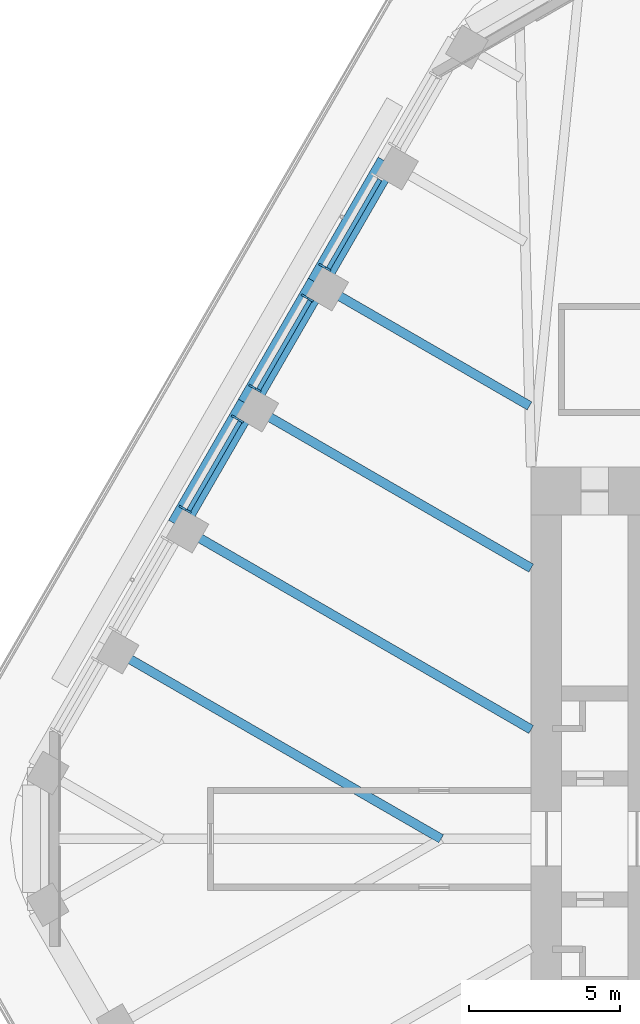
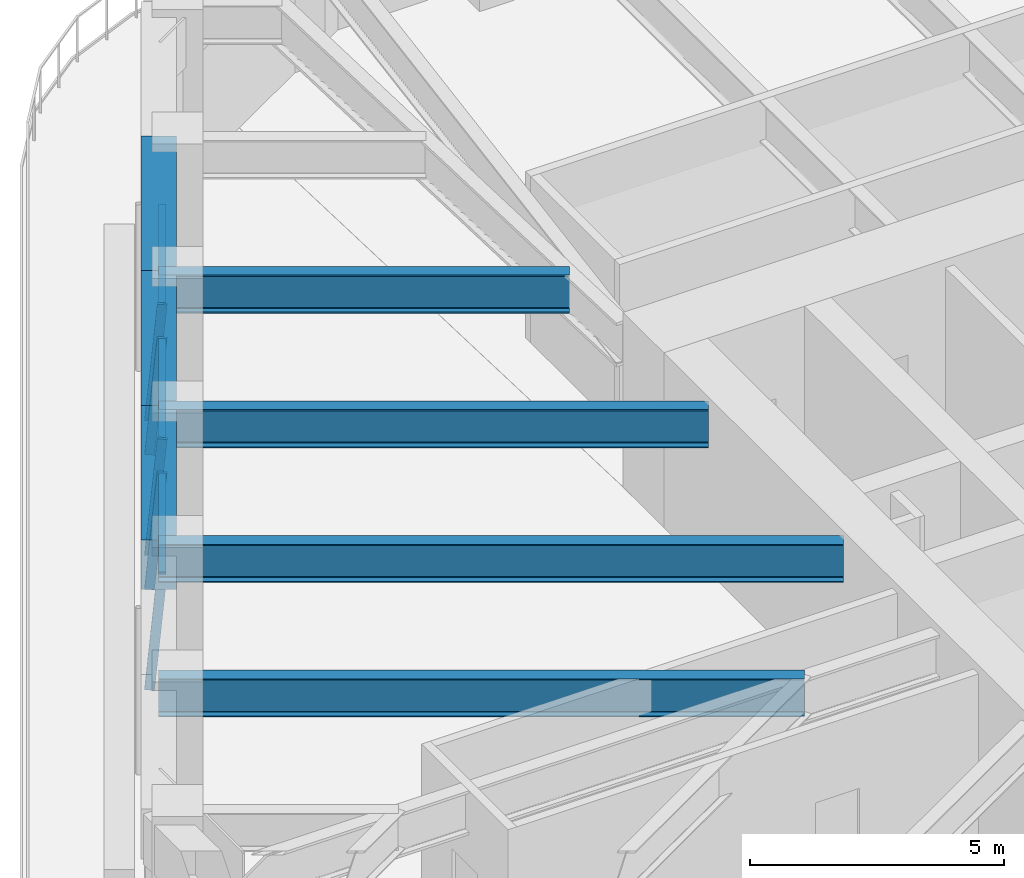
# One storey, part 7 of 20: 8 members, 7 beams, 3 elements without a shape of their own.
"""IFC4 building model written with IfcOpenShell, lengths in metres."""

from ifc_helpers import new_model, si_unit, direction, frame, origin, origin_2d, place, context, subcontext, project, spatial, rectangle, i_section, extrude, material, material_profile, profile_set, type_object, element, aggregate, save


model = new_model("IFC4")

# Units and contexts
model_context = context("Model", 3, precision=1e-05, world=origin(), true_north=direction((0.0, 1.0)))
body_context = subcontext(model_context, "Body", "Model", "MODEL_VIEW")
ifc_project = project(units=[si_unit("LENGTHUNIT", "METRE"), si_unit("AREAUNIT", "SQUARE_METRE"), si_unit("VOLUMEUNIT", "CUBIC_METRE"), si_unit("PLANEANGLEUNIT", "RADIAN"), si_unit("MASSUNIT", "GRAM", prefix="KILO")], contexts=[model_context])

# Site, building, storey
site_placement = place(None, origin())
site = spatial("IfcSite", under=ifc_project, at=site_placement, CompositionType="ELEMENT")
building_placement = place(site_placement, origin())
building = spatial("IfcBuilding", under=site, at=building_placement, Name="Tarfa Lantern Tower", CompositionType="ELEMENT")
storey_placement = place(building_placement, frame((0.0, 0.0, 291.10009765625)))
storey = spatial("IfcBuildingStorey", under=building, at=storey_placement, Name="L66", CompositionType="ELEMENT", Elevation=291.10009765625)

# Curtain wall, member
ifc_material_1 = material(Name="Aluminium framed curtain wall", Category="aluminium")
curtain_wall_type = type_object("IfcCurtainWallType", Name="CW3 CANTED GLAZING HIGH ZONE 2800", PredefinedType="USERDEFINED", material=ifc_material_1)
curtain_wall_1_placement = place(storey_placement, origin())
curtain_wall_1 = element("IfcCurtainWall", 1, at=curtain_wall_1_placement, inside=storey, type_object=curtain_wall_type, Name="CW3 NW L66", ObjectType="CURTAIN WALL", PredefinedType="USERDEFINED")
ifc_material_2 = material(Name="Aluminium mullion", Category="aluminium")
ifc_material_profile_1 = material_profile(ifc_material_2, rectangle(XDim=0.06494140625, YDim=0.199951171875, at=origin_2d()), Name="AL MULLION 65x200")
ifc_profile_set_1 = profile_set([ifc_material_profile_1], Name="Aluminium mullion")
member_type_1 = type_object("IfcMemberType", Name="CWM1 MULLION 65x200", PredefinedType="MULLION", material=ifc_profile_set_1)
member_1_placement = place(storey_placement, frame((-22.427490234375, 18.954345703125, 0.0), z_axis=(0.077039050765, -0.044468989844, 0.996035889715), x_axis=(0.499919672301, 0.866071776036, 0.0)))
member_1 = element("IfcMember", 2, at=member_1_placement, type_object=member_type_1, Name="CW3 mullion 2", PredefinedType="MULLION", context=body_context, shape_type="SweptSolid", body=[
    extrude(rectangle(XDim=0.06494140625, YDim=0.199951171875, at=origin_2d()), origin(), (0.0, 0.0, 1.0), 2.81103515625),
])

# Curtain wall, members
curtain_wall_2_placement = place(storey_placement, origin())
curtain_wall_2 = element("IfcCurtainWall", 3, at=curtain_wall_2_placement, inside=storey, type_object=curtain_wall_type, Name="CW3 NW L66", ObjectType="CURTAIN WALL", PredefinedType="USERDEFINED")
member_2_placement = place(storey_placement, frame((-23.010009765625, 17.945556640625, 0.0), z_axis=(0.077039050765, -0.044468989844, 0.996035889715), x_axis=(0.499919672301, 0.866071776036, 0.0)))
member_2 = element("IfcMember", 4, at=member_2_placement, type_object=member_type_1, Name="CW3 mullion 1", PredefinedType="MULLION", context=body_context, shape_type="SweptSolid", body=[
    extrude(rectangle(XDim=0.06494140625, YDim=0.199951171875, at=origin_2d()), origin(), (0.0, 0.0, 1.0), 2.81103515625),
])
member_3_placement = place(storey_placement, frame((-24.73681640625, 14.954345703125, 0.0), z_axis=(0.077039050765, -0.044468989844, 0.996035889715), x_axis=(0.499919672301, 0.866071776036, 0.0)))
member_3 = element("IfcMember", 5, at=member_3_placement, type_object=member_type_1, Name="CW3 mullion 2", PredefinedType="MULLION", context=body_context, shape_type="SweptSolid", body=[
    extrude(rectangle(XDim=0.06494140625, YDim=0.199951171875, at=origin_2d()), origin(), (0.0, 0.0, 1.0), 2.81103515625),
])

curtain_wall_3_placement = place(storey_placement, origin())
curtain_wall_3 = element("IfcCurtainWall", 6, at=curtain_wall_3_placement, inside=storey, type_object=curtain_wall_type, Name="CW3 NW L66", ObjectType="CURTAIN WALL", PredefinedType="USERDEFINED")
member_4_placement = place(storey_placement, frame((-25.3193359375, 13.945556640625, 0.0), z_axis=(0.077039050765, -0.044468989844, 0.996035889715), x_axis=(0.499919672301, 0.866071776036, 0.0)))
member_4 = element("IfcMember", 7, at=member_4_placement, type_object=member_type_1, Name="CW3 mullion 1", PredefinedType="MULLION", context=body_context, shape_type="SweptSolid", body=[
    extrude(rectangle(XDim=0.06494140625, YDim=0.199951171875, at=origin_2d()), origin(), (0.0, 0.0, 1.0), 2.81103515625),
])
member_5_placement = place(storey_placement, frame((-27.04638671875, 10.954345703125, 0.0), z_axis=(0.077039050765, -0.044468989844, 0.996035889715), x_axis=(0.499919672301, 0.866071776036, 0.0)))
member_5 = element("IfcMember", 8, at=member_5_placement, type_object=member_type_1, Name="CW3 mullion 2", PredefinedType="MULLION", context=body_context, shape_type="SweptSolid", body=[
    extrude(rectangle(XDim=0.06494140625, YDim=0.199951171875, at=origin_2d()), origin(), (0.0, 0.0, 1.0), 2.81103515625),
])

# Member
ifc_material_3 = material(Name="Aluminium transom", Category="aluminium")
ifc_material_profile_2 = material_profile(ifc_material_3, rectangle(XDim=0.14990234375, YDim=0.06494140625, at=origin_2d()), Name="AL TRANSOM 150x65")
ifc_profile_set_2 = profile_set([ifc_material_profile_2], Name="Aluminium transom")
member_type_2 = type_object("IfcMemberType", Name="CWT1 TRANSOM 150x65", PredefinedType="USERDEFINED", material=ifc_profile_set_2)
member_6_placement = place(storey_placement, frame((-20.5029296875, 21.7939453125, 2.767333984375), z_axis=(-0.499982299553, -0.866035622901, 0.0), x_axis=(0.866035622901, -0.499982299553, 0.0)))
member_6 = element("IfcMember", 9, at=member_6_placement, type_object=member_type_2, Name="CW3 transom 1.2", ObjectType="TRANSOM", PredefinedType="USERDEFINED", context=body_context, shape_type="SweptSolid", body=[
    extrude(rectangle(XDim=0.14990234375, YDim=0.06494140625, at=origin_2d()), origin(), (0.0, 0.0, 1.0), 3.388671875),
])

aggregate(curtain_wall_1, [member_1, member_6])

member_7_placement = place(storey_placement, frame((-22.812255859375, 17.7939453125, 2.767333984375), z_axis=(-0.499982299553, -0.866035622901, 0.0), x_axis=(0.866035622901, -0.499982299553, 0.0)))
member_7 = element("IfcMember", 10, at=member_7_placement, type_object=member_type_2, Name="CW3 transom 1.2", ObjectType="TRANSOM", PredefinedType="USERDEFINED", context=body_context, shape_type="SweptSolid", body=[
    extrude(rectangle(XDim=0.14990234375, YDim=0.06494140625, at=origin_2d()), origin(), (0.0, 0.0, 1.0), 3.388671875),
])

aggregate(curtain_wall_2, [member_2, member_3, member_7])

member_8_placement = place(storey_placement, frame((-25.12158203125, 13.7939453125, 2.767333984375), z_axis=(-0.500036330578, -0.866004427299, 0.0), x_axis=(0.866004427299, -0.500036330578, 0.0)))
member_8 = element("IfcMember", 11, at=member_8_placement, type_object=member_type_2, Name="CW3 transom 1.2", ObjectType="TRANSOM", PredefinedType="USERDEFINED", context=body_context, shape_type="SweptSolid", body=[
    extrude(rectangle(XDim=0.14990234375, YDim=0.06494140625, at=origin_2d()), origin(), (0.0, 0.0, 1.0), 3.388916015625),
])

aggregate(curtain_wall_3, [member_4, member_5, member_8])

# Beams
ifc_material_4 = material(Name="Concrete C80/95", Category="concrete")
ifc_material_profile_3 = material_profile(ifc_material_4, rectangle(XDim=0.699951171875, YDim=1.199951171875, at=origin_2d()), Name="RC 700x1200")
ifc_profile_set_3 = profile_set([ifc_material_profile_3], Name="Concrete C80/95")
beam_type_1 = type_object("IfcBeamType", Name="EB3 RC 700x1200", PredefinedType="SPANDREL", material=ifc_profile_set_3)
beam_1_placement = place(storey_placement, frame((-20.25341796875, 22.360107421875, 3.39990234375), z_axis=(-0.499987836815, -0.866032426089, 0.0), x_axis=(0.866032426089, -0.499987836815, 0.0)))
element("IfcBeam", 12, at=beam_1_placement, inside=storey, type_object=beam_type_1, Name="Edge beam NW1", PredefinedType="SPANDREL", context=body_context, shape_type="SweptSolid", body=[
    extrude(rectangle(XDim=0.699951171875, YDim=1.199951171875, at=origin_2d()), origin(), (0.0, 0.0, 1.0), 4.61865234375),
])
beam_2_placement = place(storey_placement, frame((-22.562744140625, 18.360107421875, 3.39990234375), z_axis=(-0.500027479704, -0.866009537788, 0.0), x_axis=(0.866009537788, -0.500027479704, 0.0)))
element("IfcBeam", 13, at=beam_2_placement, inside=storey, type_object=beam_type_1, Name="Edge beam NW2", PredefinedType="SPANDREL", context=body_context, shape_type="SweptSolid", body=[
    extrude(rectangle(XDim=0.699951171875, YDim=1.199951171875, at=origin_2d()), origin(), (0.0, 0.0, 1.0), 4.618896484375),
])
beam_3_placement = place(storey_placement, frame((-24.872314453125, 14.360107421875, 3.39990234375), z_axis=(-0.499987836815, -0.866032426089, 0.0), x_axis=(0.866032426089, -0.499987836815, 0.0)))
element("IfcBeam", 14, at=beam_3_placement, inside=storey, type_object=beam_type_1, Name="Edge beam NW3", PredefinedType="SPANDREL", context=body_context, shape_type="SweptSolid", body=[
    extrude(rectangle(XDim=0.699951171875, YDim=1.199951171875, at=origin_2d()), origin(), (0.0, 0.0, 1.0), 4.61865234375),
])
ifc_material_5 = material(Name="Steel S460M", Category="steel")
ifc_material_profile_4 = material_profile(ifc_material_5, i_section(OverallWidth=0.305419921875, OverallDepth=0.91845703125, WebThickness=0.017333984375, FlangeThickness=0.02783203125, FilletRadius=0.01904296875, at=origin_2d()), Name="UB914x305x253")
ifc_profile_set_4 = profile_set([ifc_material_profile_4], Name="Steel S460M")
beam_type_2 = type_object("IfcBeamType", Name="UB914x305x253", PredefinedType="BEAM", material=ifc_profile_set_4)
beam_4_placement = place(storey_placement, frame((-22.562744140625, 18.360107421875, 3.540771484375), z_axis=(0.866010787764, -0.500025314835, 0.0), x_axis=(0.500025314835, 0.866010787764, 0.0)))
element("IfcBeam", 15, at=beam_4_placement, inside=storey, type_object=beam_type_2, Name="Floor beam NW2", PredefinedType="BEAM", context=body_context, shape_type="SweptSolid", body=[
    extrude(i_section(OverallWidth=0.305419921875, OverallDepth=0.91845703125, WebThickness=0.017333984375, FlangeThickness=0.02783203125, FilletRadius=0.01904296875, at=origin_2d()), origin(), (0.0, 0.0, 1.0), 8.09423828125),
])
beam_5_placement = place(storey_placement, frame((-24.872314453125, 14.360107421875, 3.540771484375), z_axis=(0.8660244219, -0.500001700669, 0.0), x_axis=(0.500001700669, 0.8660244219, 0.0)))
element("IfcBeam", 16, at=beam_5_placement, inside=storey, type_object=beam_type_2, Name="Floor beam NW3", PredefinedType="BEAM", context=body_context, shape_type="SweptSolid", body=[
    extrude(i_section(OverallWidth=0.305419921875, OverallDepth=0.91845703125, WebThickness=0.017333984375, FlangeThickness=0.02783203125, FilletRadius=0.01904296875, at=origin_2d()), origin(), (0.0, 0.0, 1.0), 10.822265625),
])
beam_6_placement = place(storey_placement, frame((-27.181640625, 10.360107421875, 3.540771484375), z_axis=(0.866018002818, -0.500012818631, 0.0), x_axis=(0.500012818631, 0.866018002818, 0.0)))
element("IfcBeam", 17, at=beam_6_placement, inside=storey, type_object=beam_type_2, Name="Floor beam NW4", PredefinedType="BEAM", context=body_context, shape_type="SweptSolid", body=[
    extrude(i_section(OverallWidth=0.305419921875, OverallDepth=0.91845703125, WebThickness=0.017333984375, FlangeThickness=0.02783203125, FilletRadius=0.01904296875, at=origin_2d()), origin(), (0.0, 0.0, 1.0), 13.489013671875),
])
beam_7_placement = place(storey_placement, frame((-29.490966796875, 6.360107421875, 3.540771484375), z_axis=(0.866022258038, -0.500005448553, 0.0), x_axis=(0.500005448553, 0.866022258038, 0.0)))
element("IfcBeam", 18, at=beam_7_placement, inside=storey, type_object=beam_type_2, Name="Floor beam NW5", PredefinedType="BEAM", context=body_context, shape_type="SweptSolid", body=[
    extrude(i_section(OverallWidth=0.305419921875, OverallDepth=0.91845703125, WebThickness=0.017333984375, FlangeThickness=0.02783203125, FilletRadius=0.01904296875, at=origin_2d()), origin(), (0.0, 0.0, 1.0), 12.719970703125),
])

save(model, "model.ifc")
